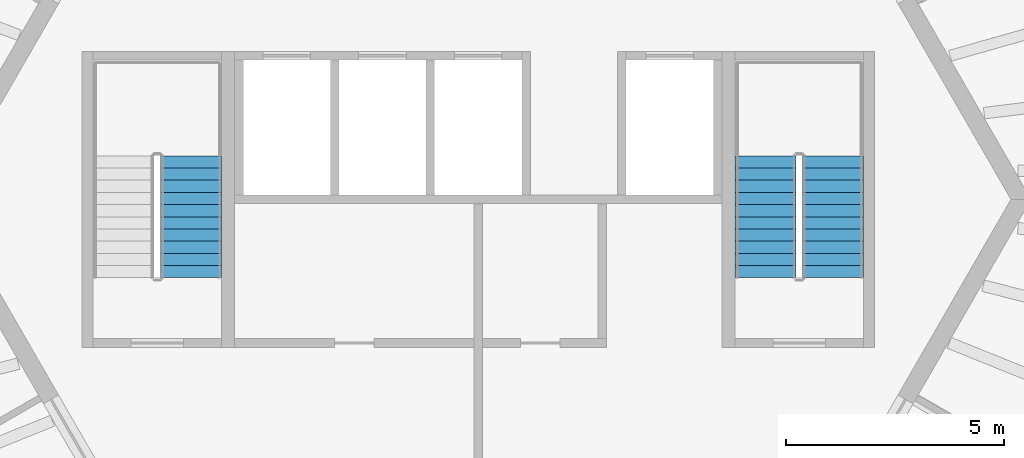
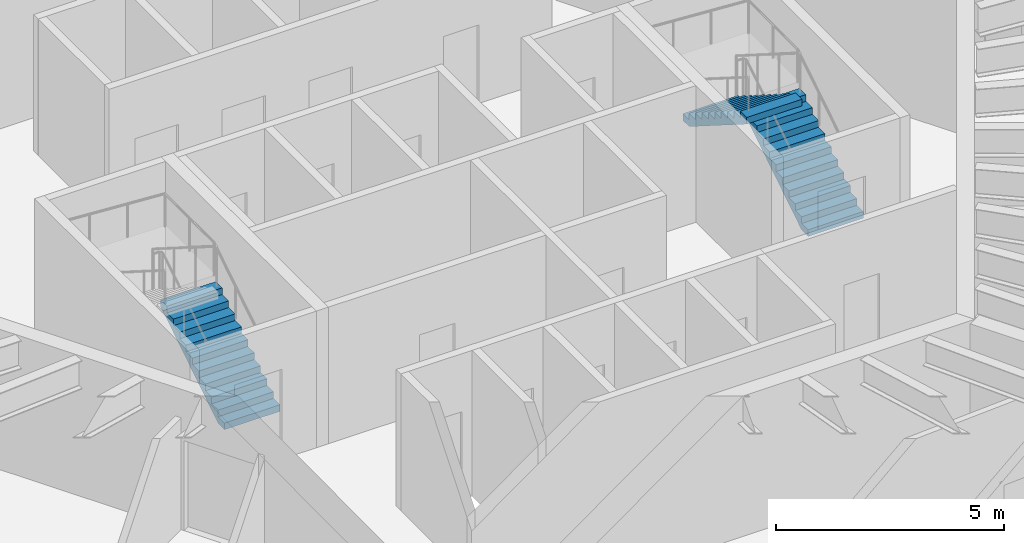
# One storey, part 11 of 13: 3 stair flights, 2 elements without a shape of their own.
"""IFC4 building model written with IfcOpenShell, lengths in metres."""

from ifc_helpers import new_model, si_unit, direction, frame, origin, place, context, subcontext, project, spatial, polyline, outline, extrude, material, type_object, element, aggregate, save


model = new_model("IFC4")

# Units and contexts
model_context = context("Model", 3, precision=1e-05, world=origin(), true_north=direction((0.0, 1.0)))
body_context = subcontext(model_context, "Body", "Model", "MODEL_VIEW")
ifc_project = project(units=[si_unit("LENGTHUNIT", "METRE"), si_unit("AREAUNIT", "SQUARE_METRE"), si_unit("VOLUMEUNIT", "CUBIC_METRE"), si_unit("PLANEANGLEUNIT", "RADIAN"), si_unit("MASSUNIT", "GRAM", prefix="KILO")], contexts=[model_context])

# Site, building, storey
site_placement = place(None, origin())
site = spatial("IfcSite", under=ifc_project, at=site_placement, CompositionType="ELEMENT")
building_placement = place(site_placement, origin())
building = spatial("IfcBuilding", under=site, at=building_placement, Name="Tarnside Tower", CompositionType="ELEMENT")
storey_placement = place(building_placement, frame((0.0, 0.0, 303.0)))
storey = spatial("IfcBuildingStorey", under=building, at=storey_placement, Name="L73", CompositionType="ELEMENT", Elevation=303.0)

# Stair, stair flights
ifc_material = material(Name="Concrete C40/50", Category="concrete")
stair_type = type_object("IfcStairType", Name="Exit stair 1400 clear", PredefinedType="HALF_TURN_STAIR", material=ifc_material)
stair_1_placement = place(storey_placement, origin())
stair_1 = element("IfcStair", 1, at=stair_1_placement, inside=storey, type_object=stair_type, Name="L73 Exit stair 1", PredefinedType="HALF_TURN_STAIR")
stair_flight_type = type_object("IfcStairFlightType", Name="Exit stair flight 1400", PredefinedType="STRAIGHT", material=ifc_material)
stair_flight_1_placement = place(storey_placement, frame((8.14990234375, -1.800048828125, 0.0), z_axis=(0.0, 0.0, 1.0), x_axis=(0.0, 1.0, 0.0)))
stair_flight_1 = element("IfcStairFlight", 2, at=stair_flight_1_placement, type_object=stair_flight_type, Name="ST1 flight 1", NumberOfRisers=11, NumberOfTreads=10, PredefinedType="STRAIGHT", RiserHeight=0.177272727, TreadLength=0.28, context=body_context, shape_type="SweptSolid", body=[
    extrude(outline(polyline([(0.0, 0.0), (0.0, 0.17724609375), (0.280029296875, 0.17724609375), (0.280029296875, 0.3544921875), (0.56005859375, 0.3544921875), (0.56005859375, 0.53173828125), (0.840087890625, 0.53173828125), (0.840087890625, 0.708984375), (1.1201171875, 0.708984375), (1.1201171875, 0.886474609375), (1.39990234375, 0.886474609375), (1.39990234375, 1.063720703125), (1.679931640625, 1.063720703125), (1.679931640625, 1.240966796875), (1.9599609375, 1.240966796875), (1.9599609375, 1.418212890625), (2.239990234375, 1.418212890625), (2.239990234375, 1.595458984375), (2.52001953125, 1.595458984375), (2.52001953125, 1.772705078125), (2.800048828125, 1.772705078125), (2.800048828125, 1.949951171875), (2.800048828125, 1.59521484375), (0.2802734375, 0.0), (0.0, 0.0)])), frame((0.0, 0.699951171875, 0.0), z_axis=(0.0, -1.0, 0.0), x_axis=(1.0, 0.0, 0.0)), (0.0, 0.0, 1.0), 1.39990234375),
])
stair_flight_2_placement = place(storey_placement, frame((6.60009765625, 1.0, 1.949951171875), z_axis=(0.0, 0.0, 1.0), x_axis=(0.0, -1.0, 0.0)))
stair_flight_2 = element("IfcStairFlight", 3, at=stair_flight_2_placement, type_object=stair_flight_type, Name="ST1 flight 2", NumberOfRisers=11, NumberOfTreads=10, PredefinedType="STRAIGHT", RiserHeight=0.177272727, TreadLength=0.28, context=body_context, shape_type="SweptSolid", body=[
    extrude(outline(polyline([(0.0, 0.0), (0.0, 0.17724609375), (0.280029296875, 0.17724609375), (0.280029296875, 0.3544921875), (0.56005859375, 0.3544921875), (0.56005859375, 0.53173828125), (0.840087890625, 0.53173828125), (0.840087890625, 0.708984375), (1.1201171875, 0.708984375), (1.1201171875, 0.886474609375), (1.39990234375, 0.886474609375), (1.39990234375, 1.063720703125), (1.679931640625, 1.063720703125), (1.679931640625, 1.240966796875), (1.9599609375, 1.240966796875), (1.9599609375, 1.418212890625), (2.239990234375, 1.418212890625), (2.239990234375, 1.595458984375), (2.52001953125, 1.595458984375), (2.52001953125, 1.772705078125), (2.800048828125, 1.772705078125), (2.800048828125, 1.949951171875), (2.800048828125, 1.59521484375), (0.2802734375, 0.0), (0.0, 0.0)])), frame((0.0, 0.699951171875, 0.0), z_axis=(0.0, -1.0, 0.0), x_axis=(1.0, 0.0, 0.0)), (0.0, 0.0, 1.0), 1.39990234375),
])
aggregate(stair_1, [stair_flight_1, stair_flight_2])

# Stair, stair flight
stair_2_placement = place(storey_placement, origin())
stair_2 = element("IfcStair", 4, at=stair_2_placement, inside=storey, type_object=stair_type, Name="L73 Exit stair 2", PredefinedType="HALF_TURN_STAIR")
stair_flight_3_placement = place(storey_placement, frame((-6.60009765625, -1.800048828125, 0.0), z_axis=(0.0, 0.0, 1.0), x_axis=(0.0, 1.0, 0.0)))
stair_flight_3 = element("IfcStairFlight", 5, at=stair_flight_3_placement, type_object=stair_flight_type, Name="ST2 flight 1", NumberOfRisers=11, NumberOfTreads=10, PredefinedType="STRAIGHT", RiserHeight=0.177272727, TreadLength=0.28, context=body_context, shape_type="SweptSolid", body=[
    extrude(outline(polyline([(0.0, 0.0), (0.0, 0.17724609375), (0.280029296875, 0.17724609375), (0.280029296875, 0.3544921875), (0.56005859375, 0.3544921875), (0.56005859375, 0.53173828125), (0.840087890625, 0.53173828125), (0.840087890625, 0.708984375), (1.1201171875, 0.708984375), (1.1201171875, 0.886474609375), (1.39990234375, 0.886474609375), (1.39990234375, 1.063720703125), (1.679931640625, 1.063720703125), (1.679931640625, 1.240966796875), (1.9599609375, 1.240966796875), (1.9599609375, 1.418212890625), (2.239990234375, 1.418212890625), (2.239990234375, 1.595458984375), (2.52001953125, 1.595458984375), (2.52001953125, 1.772705078125), (2.800048828125, 1.772705078125), (2.800048828125, 1.949951171875), (2.800048828125, 1.59521484375), (0.2802734375, 0.0), (0.0, 0.0)])), frame((0.0, 0.699951171875, 0.0), z_axis=(0.0, -1.0, 0.0), x_axis=(1.0, 0.0, 0.0)), (0.0, 0.0, 1.0), 1.39990234375),
])
aggregate(stair_2, [stair_flight_3])

save(model, "model.ifc")
